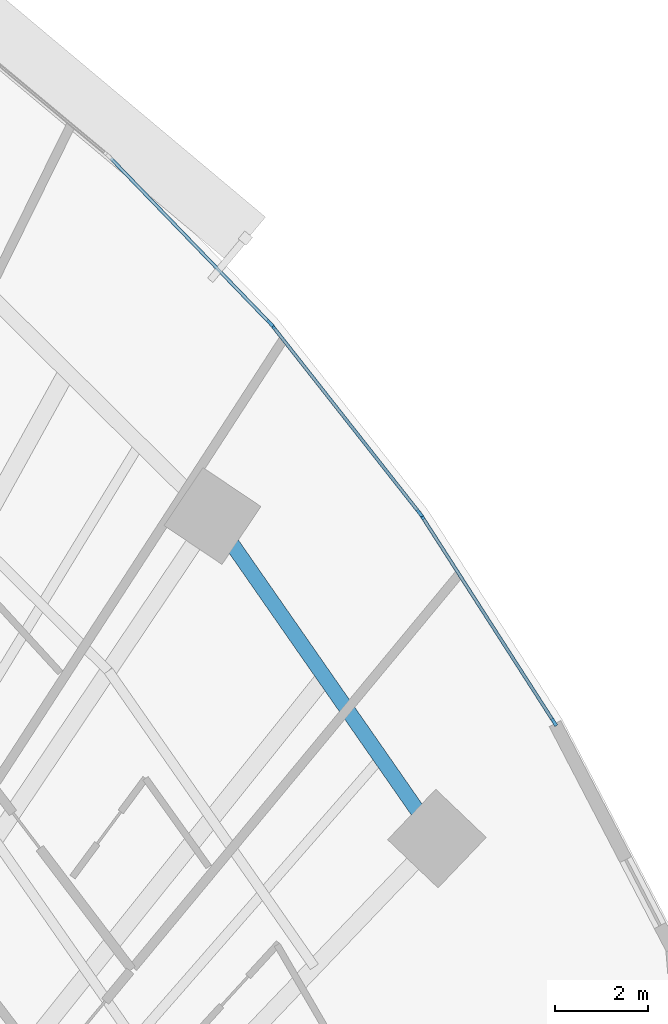
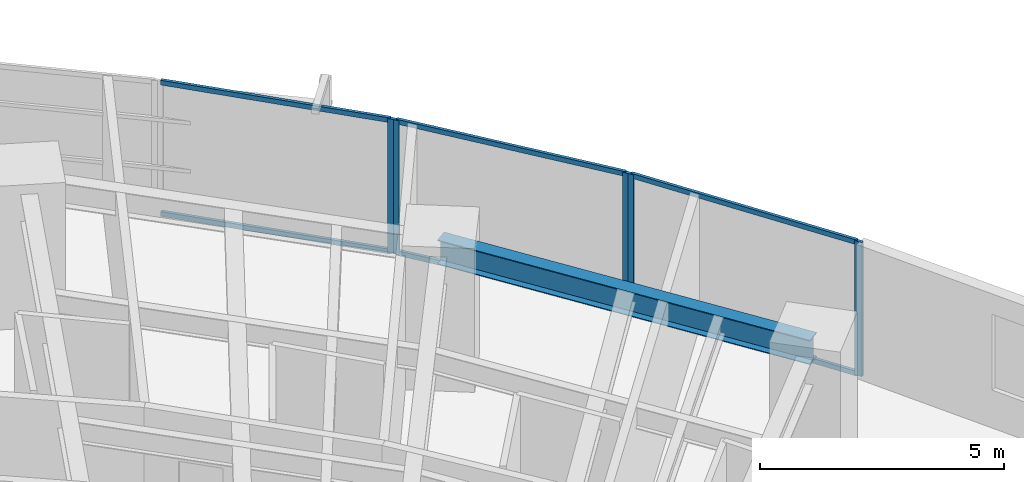
# One storey, part 8 of 18: 11 members, 1 beam, 3 elements without a shape of their own.
"""IFC4 building model written with IfcOpenShell, lengths in metres."""

from ifc_helpers import new_model, si_unit, direction, frame, origin, origin_2d, place, context, subcontext, project, spatial, rectangle, i_section, extrude, source, transform, mapped, material, layer, layer_set, material_profile, profile_set, type_object, element, aggregate, save


model = new_model("IFC4")

# Units and contexts
model_context = context("Model", 3, precision=1e-05, world=origin(), true_north=direction((0.0, 1.0)))
body_context = subcontext(model_context, "Body", "Model", "MODEL_VIEW")
ifc_project = project(units=[si_unit("LENGTHUNIT", "METRE"), si_unit("AREAUNIT", "SQUARE_METRE"), si_unit("VOLUMEUNIT", "CUBIC_METRE"), si_unit("PLANEANGLEUNIT", "RADIAN"), si_unit("MASSUNIT", "GRAM", prefix="KILO")], contexts=[model_context])

# Site, building, storey
site_placement = place(None, origin())
site = spatial("IfcSite", under=ifc_project, at=site_placement, CompositionType="ELEMENT")
building_placement = place(site_placement, origin())
building = spatial("IfcBuilding", under=site, at=building_placement, Name="Breltana Convention Tower", CompositionType="ELEMENT")
storey_placement = place(building_placement, frame((0.0, 0.0, 42.60009765625)))
storey = spatial("IfcBuildingStorey", under=building, at=storey_placement, Name="L08", CompositionType="ELEMENT", Elevation=42.60009765625)

# Beam
ifc_material_1 = material(Name="Steel ASTM A992 Grade 50", Category="steel")
ifc_material_profile_1 = material_profile(ifc_material_1, i_section(OverallWidth=0.323974609375, OverallDepth=0.611083984375, WebThickness=0.0126953125, FlangeThickness=0.01904296875, at=origin_2d()), Name="W24X104")
ifc_profile_set_1 = profile_set([ifc_material_profile_1], Name="Steel ASTM A992 Grade 50")
beam_type = type_object("IfcBeamType", Name="BM-SP-W24X104", PredefinedType="SPANDREL", material=ifc_profile_set_1)
shared_shape_1 = source(origin(), body_context, "Body", "SweptSolid", [
    extrude(i_section(OverallWidth=0.323974609375, OverallDepth=0.611083984375, WebThickness=0.0126953125, FlangeThickness=0.01904296875, at=origin_2d()), origin(), (0.0, 0.0, 1.0), 8.44970703125),
])
beam_placement = place(storey_placement, frame((75.166748046875, 62.43017578125, 3.054443359375), z_axis=(0.5711855381, -0.820820979913, 0.0), x_axis=(0.820820979913, 0.5711855381, 0.0)))
element("IfcBeam", 1, at=beam_placement, inside=storey, type_object=beam_type, Name="L08 Outer Spandrel Beam 10", PredefinedType="SPANDREL", context=body_context, shape_type="MappedRepresentation", body=[
    mapped(shared_shape_1, transform((0.0, 0.0, 0.0), scale=1.0)),
])

# Curtain wall, members
ifc_material_2 = material(Name="Aluminium Anodised Bronze Frame", Category="aluminium")
ifc_layer = layer(ifc_material_2, 0.199951171875, Name="Aluminium Anodised Bronze Frame")
ifc_layer_set = layer_set([ifc_layer], Name="Aluminium Anodised Bronze Frame")
curtain_wall_type = type_object("IfcCurtainWallType", Name="CW-SYS-2", PredefinedType="NOTDEFINED", material=ifc_layer_set)
curtain_wall_1_placement = place(storey_placement, origin())
curtain_wall_1 = element("IfcCurtainWall", 2, at=curtain_wall_1_placement, inside=storey, type_object=curtain_wall_type, Name="L08 outer double-skin inner glazing 17", PredefinedType="NOTDEFINED")
ifc_material_3 = material(Name="Aluminium Anodised Bronze", Category="aluminium")
ifc_material_profile_2 = material_profile(ifc_material_3, rectangle(XDim=0.070068359375, YDim=0.1201171875, at=origin_2d()), Name="CWT-70X120")
ifc_profile_set_2 = profile_set([ifc_material_profile_2], Name="Aluminium Anodised Bronze")
member_type_1 = type_object("IfcMemberType", Name="CWT-120", PredefinedType="USERDEFINED", material=ifc_profile_set_2)
shared_shape_2 = source(origin(), body_context, "Body", "SweptSolid", [
    extrude(rectangle(XDim=0.070068359375, YDim=0.1201171875, at=origin_2d()), origin(), (0.0, 0.0, 1.0), 5.0546875),
])
member_1_placement = place(storey_placement, frame((76.4765625, 66.491455078125, 0.034912109375), z_axis=(0.618135067667, -0.786071903913, 0.0), x_axis=(0.786071903913, 0.618135067667, 0.0)))
member_1 = element("IfcMember", 3, at=member_1_placement, type_object=member_type_1, Name="CW-02 transom 1.1", ObjectType="TRANSOM", PredefinedType="USERDEFINED", context=body_context, shape_type="MappedRepresentation", body=[
    mapped(shared_shape_2, transform((0.0, 0.0, 0.0), scale=1.0)),
])
member_2_placement = place(storey_placement, frame((76.4765625, 66.491455078125, 3.324951171875), z_axis=(0.618135067667, -0.786071903913, 0.0), x_axis=(0.786071903913, 0.618135067667, 0.0)))
member_2 = element("IfcMember", 4, at=member_2_placement, type_object=member_type_1, Name="CW-02 transom 1.2", ObjectType="TRANSOM", PredefinedType="USERDEFINED", context=body_context, shape_type="MappedRepresentation", body=[
    mapped(shared_shape_2, transform((0.0, 0.0, 0.0), scale=1.0)),
])

curtain_wall_2_placement = place(storey_placement, origin())
curtain_wall_2 = element("IfcCurtainWall", 5, at=curtain_wall_2_placement, inside=storey, type_object=curtain_wall_type, Name="L08 outer double-skin inner glazing 16", PredefinedType="NOTDEFINED")
shared_shape_3 = source(origin(), body_context, "Body", "SweptSolid", [
    extrude(rectangle(XDim=0.070068359375, YDim=0.1201171875, at=origin_2d()), origin(), (0.0, 0.0, 1.0), 4.901123046875),
])
member_3_placement = place(storey_placement, frame((72.980224609375, 70.12255859375, 0.034912109375), z_axis=(0.6945945137, -0.719401460617, 0.0), x_axis=(0.719401460617, 0.6945945137, 0.0)))
member_3 = element("IfcMember", 6, at=member_3_placement, type_object=member_type_1, Name="CW-02 transom 1.1", ObjectType="TRANSOM", PredefinedType="USERDEFINED", context=body_context, shape_type="MappedRepresentation", body=[
    mapped(shared_shape_3, transform((0.0, 0.0, 0.0), scale=1.0)),
])
member_4_placement = place(storey_placement, frame((72.980224609375, 70.12255859375, 3.324951171875), z_axis=(0.6945945137, -0.719401460617, 0.0), x_axis=(0.719401460617, 0.6945945137, 0.0)))
member_4 = element("IfcMember", 7, at=member_4_placement, type_object=member_type_1, Name="CW-02 transom 1.2", ObjectType="TRANSOM", PredefinedType="USERDEFINED", context=body_context, shape_type="MappedRepresentation", body=[
    mapped(shared_shape_3, transform((0.0, 0.0, 0.0), scale=1.0)),
])

curtain_wall_3_placement = place(storey_placement, origin())
curtain_wall_3 = element("IfcCurtainWall", 8, at=curtain_wall_3_placement, inside=storey, type_object=curtain_wall_type, Name="L08 outer double-skin inner glazing 18", PredefinedType="NOTDEFINED")
shared_shape_4 = source(origin(), body_context, "Body", "SweptSolid", [
    extrude(rectangle(XDim=0.070068359375, YDim=0.1201171875, at=origin_2d()), origin(), (0.0, 0.0, 1.0), 5.205810546875),
])
member_5_placement = place(storey_placement, frame((79.68212890625, 62.404296875, 0.034912109375), z_axis=(0.540179102764, -0.841550079875, 0.0), x_axis=(0.841550079875, 0.540179102764, 0.0)))
member_5 = element("IfcMember", 9, at=member_5_placement, type_object=member_type_1, Name="CW-02 transom 1.1", ObjectType="TRANSOM", PredefinedType="USERDEFINED", context=body_context, shape_type="MappedRepresentation", body=[
    mapped(shared_shape_4, transform((0.0, 0.0, 0.0), scale=1.0)),
])
member_6_placement = place(storey_placement, frame((79.68212890625, 62.404296875, 3.324951171875), z_axis=(0.540179102764, -0.841550079875, 0.0), x_axis=(0.841550079875, 0.540179102764, 0.0)))
member_6 = element("IfcMember", 10, at=member_6_placement, type_object=member_type_1, Name="CW-02 transom 1.2", ObjectType="TRANSOM", PredefinedType="USERDEFINED", context=body_context, shape_type="MappedRepresentation", body=[
    mapped(shared_shape_4, transform((0.0, 0.0, 0.0), scale=1.0)),
])

# Member
ifc_material_profile_3 = material_profile(ifc_material_3, rectangle(XDim=0.070068359375, YDim=0.175048828125, at=origin_2d()), Name="CWM-70X175")
ifc_profile_set_3 = profile_set([ifc_material_profile_3], Name="Aluminium Anodised Bronze")
member_type_2 = type_object("IfcMemberType", Name="CWM-175", PredefinedType="MULLION", material=ifc_profile_set_3)
shared_shape_5 = source(origin(), body_context, "Body", "SweptSolid", [
    extrude(rectangle(XDim=0.070068359375, YDim=0.175048828125, at=origin_2d()), origin(), (0.0, 0.0, 1.0), 3.35986328125),
])
member_7_placement = place(storey_placement, frame((76.408935546875, 66.571533203125, 0.0), z_axis=(0.0, 0.0, 1.0), x_axis=(0.719386421003, 0.694610090106, 0.0)))
member_7 = element("IfcMember", 11, at=member_7_placement, type_object=member_type_2, Name="CW-02 mullion 2", PredefinedType="MULLION", context=body_context, shape_type="MappedRepresentation", body=[
    mapped(shared_shape_5, transform((0.0, 0.0, 0.0), scale=1.0)),
])

aggregate(curtain_wall_2, [member_7, member_3, member_4])

member_8_placement = place(storey_placement, frame((76.454833984375, 66.518798828125, 0.0), z_axis=(0.0, 0.0, 1.0), x_axis=(0.786057080698, 0.618153917633, 0.0)))
member_8 = element("IfcMember", 12, at=member_8_placement, type_object=member_type_2, Name="CW-02 mullion 1", PredefinedType="MULLION", context=body_context, shape_type="MappedRepresentation", body=[
    mapped(shared_shape_5, transform((0.0, 0.0, 0.0), scale=1.0)),
])

member_9_placement = place(storey_placement, frame((79.62255859375, 62.49072265625, 0.0), z_axis=(0.0, 0.0, 1.0), x_axis=(0.786057080698, 0.618153917633, 0.0)))
member_9 = element("IfcMember", 13, at=member_9_placement, type_object=member_type_2, Name="CW-02 mullion 2", PredefinedType="MULLION", context=body_context, shape_type="MappedRepresentation", body=[
    mapped(shared_shape_5, transform((0.0, 0.0, 0.0), scale=1.0)),
])

aggregate(curtain_wall_1, [member_8, member_9, member_1, member_2])

member_10_placement = place(storey_placement, frame((79.6630859375, 62.43359375, 0.0), z_axis=(0.0, 0.0, 1.0), x_axis=(0.841549039154, 0.540180724109, 0.0)))
member_10 = element("IfcMember", 14, at=member_10_placement, type_object=member_type_2, Name="CW-02 mullion 1", PredefinedType="MULLION", context=body_context, shape_type="MappedRepresentation", body=[
    mapped(shared_shape_5, transform((0.0, 0.0, 0.0), scale=1.0)),
])

member_11_placement = place(storey_placement, frame((82.512939453125, 57.993896484375, 0.0), z_axis=(0.0, 0.0, 1.0), x_axis=(0.841549039154, 0.540180724109, 0.0)))
member_11 = element("IfcMember", 15, at=member_11_placement, type_object=member_type_2, Name="CW-02 mullion 2", PredefinedType="MULLION", context=body_context, shape_type="MappedRepresentation", body=[
    mapped(shared_shape_5, transform((0.0, 0.0, 0.0), scale=1.0)),
])

aggregate(curtain_wall_3, [member_10, member_11, member_5, member_6])

save(model, "model.ifc")
